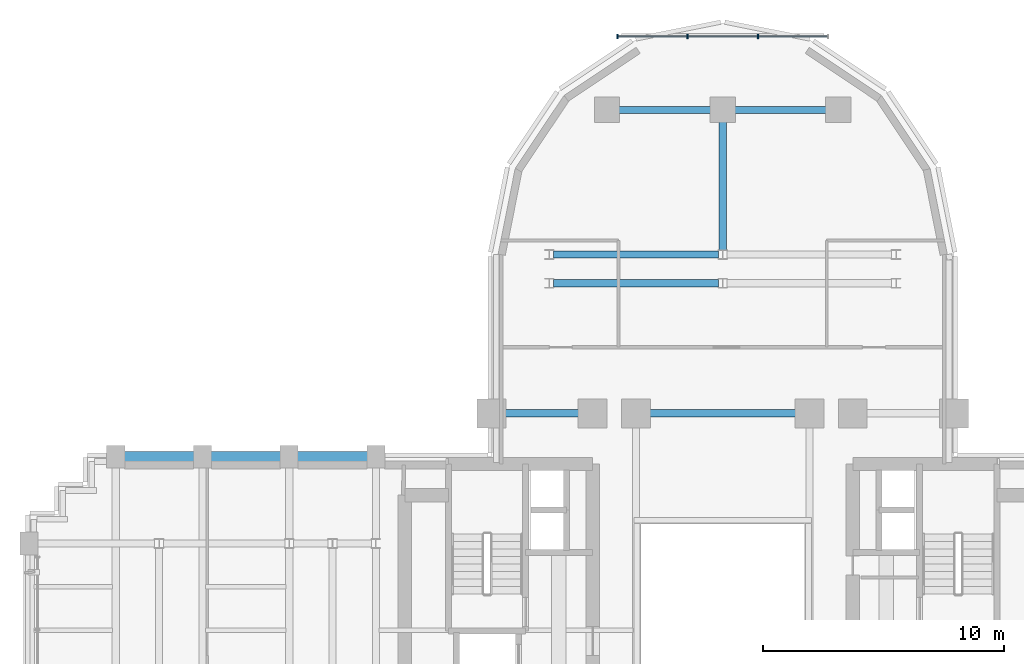
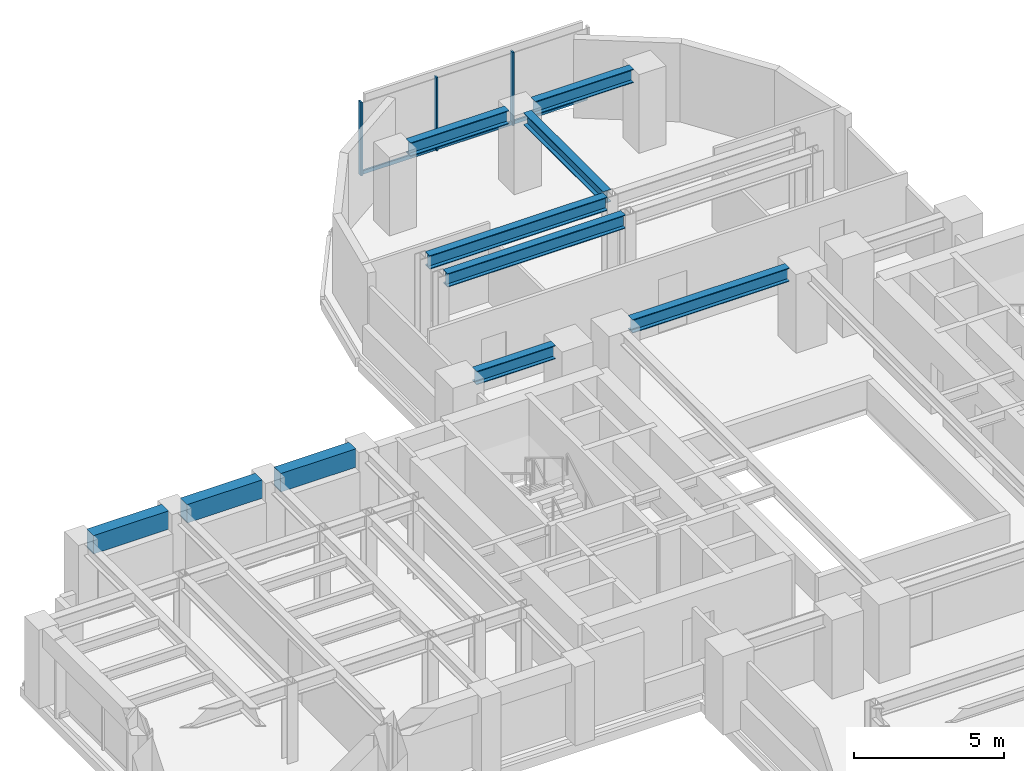
# One storey, part 7 of 16: 10 beams, 6 members, 1 element without a shape of its own.
"""IFC4 building model written with IfcOpenShell, lengths in metres."""

from ifc_helpers import new_model, si_unit, direction, frame, origin, origin_2d, place, context, subcontext, project, spatial, rectangle, i_section, extrude, source, transform, mapped, material, material_profile, profile_set, type_object, element, aggregate, save


model = new_model("IFC4")

# Units and contexts
model_context = context("Model", 3, precision=1e-05, world=origin(), true_north=direction((0.0, 1.0)))
body_context = subcontext(model_context, "Body", "Model", "MODEL_VIEW")
ifc_project = project(units=[si_unit("LENGTHUNIT", "METRE"), si_unit("AREAUNIT", "SQUARE_METRE"), si_unit("VOLUMEUNIT", "CUBIC_METRE"), si_unit("PLANEANGLEUNIT", "RADIAN"), si_unit("MASSUNIT", "GRAM", prefix="KILO")], contexts=[model_context])

# Site, building, storey
site_placement = place(None, origin())
site = spatial("IfcSite", under=ifc_project, at=site_placement, CompositionType="ELEMENT")
building_placement = place(site_placement, origin())
building = spatial("IfcBuilding", under=site, at=building_placement, Name="Keilestroom Media Tower", CompositionType="ELEMENT")
storey_placement = place(building_placement, frame((0.0, 0.0, 64.60009765625)))
storey = spatial("IfcBuildingStorey", under=building, at=storey_placement, Name="L16", CompositionType="ELEMENT", Elevation=64.60009765625)

# Beams
ifc_material_1 = material(Name="Steel S355", Category="steel")
ifc_material_profile_1 = material_profile(ifc_material_1, i_section(OverallWidth=0.300048828125, OverallDepth=0.550048828125, WebThickness=0.012939453125, FlangeThickness=0.029052734375, at=origin_2d()), Name="HEB 550")
ifc_profile_set_1 = profile_set([ifc_material_profile_1], Name="Steel S355")
beam_type_1 = type_object("IfcBeamType", Name="Primary-Structural-Girder-HEB-550", PredefinedType="BEAM", material=ifc_profile_set_1)
shared_shape_1 = source(origin(), body_context, "Body", "SweptSolid", [
    extrude(i_section(OverallWidth=0.300048828125, OverallDepth=0.550048828125, WebThickness=0.012939453125, FlangeThickness=0.029052734375, at=origin_2d()), origin(), (0.0, 0.0, 1.0), 3.7900390625),
])
for number, where, z_axis, x_axis, name in (
    (1, (-4.294921875, 21.60009765625, 2.9248046875), (1.0, 0.0, 0.0), (0.0, 1.0, 0.0), "L16 Beam BG-5 BM-L16-EW-049"),
    (2, (0.5048828125, 21.60009765625, 2.9248046875), (1.0, 0.0, 0.0), (0.0, 1.0, 0.0), "L16 Beam BG-5 BM-L16-EW-050"),
):
    element("IfcBeam", number, at=place(storey_placement, frame(where, z_axis=z_axis, x_axis=x_axis)), inside=storey, type_object=beam_type_1, Name=name, PredefinedType="BEAM", context=body_context, shape_type="MappedRepresentation", body=[
        mapped(shared_shape_1, transform((0.0, 0.0, 0.0), x_axis=(1.0, 0.0, 0.0), y_axis=(0.0, 1.0, 0.0), z_axis=(0.0, 0.0, 1.0), scale=1.0)),
    ])
shared_shape_2 = source(origin(), body_context, "Body", "SweptSolid", [
    extrude(i_section(OverallWidth=0.300048828125, OverallDepth=0.550048828125, WebThickness=0.012939453125, FlangeThickness=0.029052734375, at=origin_2d()), origin(), (0.0, 0.0, 1.0), 6.836181640625),
])
for number, where, z_axis, x_axis, name in (
    (3, (-7.01806640625, 14.39990234375, 2.9248046875), (1.0, 0.0, 0.0), (0.0, 1.0, 0.0), "L16 Beam BG-5 BM-L16-EW-045"),
    (4, (-7.01806640625, 15.60009765625, 2.9248046875), (1.0, 0.0, 0.0), (0.0, 1.0, 0.0), "L16 Beam BG-5 BM-L16-EW-047"),
):
    element("IfcBeam", number, at=place(storey_placement, frame(where, z_axis=z_axis, x_axis=x_axis)), inside=storey, type_object=beam_type_1, Name=name, PredefinedType="BEAM", context=body_context, shape_type="MappedRepresentation", body=[
        mapped(shared_shape_2, transform((0.0, 0.0, 0.0), x_axis=(1.0, 0.0, 0.0), y_axis=(0.0, 1.0, 0.0), z_axis=(0.0, 0.0, 1.0), scale=1.0)),
    ])
shared_shape_3 = source(origin(), body_context, "Body", "SweptSolid", [
    extrude(i_section(OverallWidth=0.300048828125, OverallDepth=0.550048828125, WebThickness=0.012939453125, FlangeThickness=0.029052734375, at=origin_2d()), origin(), (0.0, 0.0, 1.0), 3.0400390625),
])
beam_1_placement = place(storey_placement, frame((-9.02001953125, 9.0, 2.9248046875), z_axis=(1.0, 0.0, 0.0), x_axis=(0.0, 1.0, 0.0)))
element("IfcBeam", 5, at=beam_1_placement, inside=storey, type_object=beam_type_1, Name="L16 Beam BG-5 BM-L16-EW-040", PredefinedType="BEAM", context=body_context, shape_type="MappedRepresentation", body=[
    mapped(shared_shape_3, transform((0.0, 0.0, 0.0), x_axis=(1.0, 0.0, 0.0), y_axis=(0.0, 1.0, 0.0), z_axis=(0.0, 0.0, 1.0), scale=1.0)),
])
shared_shape_4 = source(origin(), body_context, "Body", "SweptSolid", [
    extrude(i_section(OverallWidth=0.300048828125, OverallDepth=0.550048828125, WebThickness=0.012939453125, FlangeThickness=0.029052734375, at=origin_2d()), origin(), (0.0, 0.0, 1.0), 6.0400390625),
])
beam_2_placement = place(storey_placement, frame((-3.02001953125, 9.0, 2.9248046875), z_axis=(1.0, 0.0, 0.0), x_axis=(0.0, 1.0, 0.0)))
element("IfcBeam", 6, at=beam_2_placement, inside=storey, type_object=beam_type_1, Name="L16 Beam BG-5 BM-L16-EW-042", PredefinedType="BEAM", context=body_context, shape_type="MappedRepresentation", body=[
    mapped(shared_shape_4, transform((0.0, 0.0, 0.0), x_axis=(1.0, 0.0, 0.0), y_axis=(0.0, 1.0, 0.0), z_axis=(0.0, 0.0, 1.0), scale=1.0)),
])
ifc_material_2 = material(Name="Precast concrete C40/50", Category="concrete")
ifc_material_profile_2 = material_profile(ifc_material_2, rectangle(XDim=0.449951171875, YDim=0.75, at=origin_2d()), Name="PC 450x750")
ifc_profile_set_2 = profile_set([ifc_material_profile_2], Name="Precast concrete C40/50")
beam_type_2 = type_object("IfcBeamType", Name="Perimeter-Spandrel-Beam-PC-450x750", PredefinedType="SPANDREL", material=ifc_profile_set_2)
shared_shape_5 = source(origin(), body_context, "Body", "SweptSolid", [
    extrude(rectangle(XDim=0.449951171875, YDim=0.75, at=origin_2d()), origin(), (0.0, 0.0, 1.0), 2.889892578125),
])
beam_3_placement = place(storey_placement, frame((-24.844970703125, 7.199951171875, 2.824951171875), z_axis=(1.0, 0.0, 0.0), x_axis=(0.0, 1.0, 0.0)))
element("IfcBeam", 7, at=beam_3_placement, inside=storey, type_object=beam_type_2, Name="L16 Beam SPB-1 BM-L16-EW-034", PredefinedType="SPANDREL", context=body_context, shape_type="MappedRepresentation", body=[
    mapped(shared_shape_5, transform((0.0, 0.0, 0.0), x_axis=(1.0, 0.0, 0.0), y_axis=(0.0, 1.0, 0.0), z_axis=(0.0, 0.0, 1.0), scale=1.0)),
])
shared_shape_6 = source(origin(), body_context, "Body", "SweptSolid", [
    extrude(rectangle(XDim=0.449951171875, YDim=0.75, at=origin_2d()), origin(), (0.0, 0.0, 1.0), 2.89013671875),
])
for number, where, z_axis, x_axis, name in (
    (8, (-21.2451171875, 7.199951171875, 2.824951171875), (1.0, 0.0, 0.0), (0.0, 1.0, 0.0), "L16 Beam SPB-1 BM-L16-EW-035"),
    (9, (-17.64501953125, 7.199951171875, 2.824951171875), (1.0, 0.0, 0.0), (0.0, 1.0, 0.0), "L16 Beam SPB-1 BM-L16-EW-036"),
):
    element("IfcBeam", number, at=place(storey_placement, frame(where, z_axis=z_axis, x_axis=x_axis)), inside=storey, type_object=beam_type_2, Name=name, PredefinedType="SPANDREL", context=body_context, shape_type="MappedRepresentation", body=[
        mapped(shared_shape_6, transform((0.0, 0.0, 0.0), x_axis=(1.0, 0.0, 0.0), y_axis=(0.0, 1.0, 0.0), z_axis=(0.0, 0.0, 1.0), scale=1.0)),
    ])
ifc_material_profile_3 = material_profile(ifc_material_1, i_section(OverallWidth=0.300048828125, OverallDepth=0.5, WebThickness=0.012451171875, FlangeThickness=0.028076171875, at=origin_2d()), Name="HEB 500")
ifc_profile_set_3 = profile_set([ifc_material_profile_3], Name="Steel S355")
beam_type_3 = type_object("IfcBeamType", Name="Primary-Structural-Girder-HEB-500", PredefinedType="BEAM", material=ifc_profile_set_3)
shared_shape_7 = source(origin(), body_context, "Body", "SweptSolid", [
    extrude(i_section(OverallWidth=0.300048828125, OverallDepth=0.5, WebThickness=0.012451171875, FlangeThickness=0.028076171875, at=origin_2d()), origin(), (0.0, 0.0, 1.0), 5.3115234375),
])
beam_4_placement = place(storey_placement, frame((0.0, 15.783447265625, 2.949951171875), z_axis=(0.0, 1.0, 0.0), x_axis=(-1.0, 0.0, 0.0)))
element("IfcBeam", 10, at=beam_4_placement, inside=storey, type_object=beam_type_3, Name="L16 Beam BG-6 BM-L16-NS-070", PredefinedType="BEAM", context=body_context, shape_type="MappedRepresentation", body=[
    mapped(shared_shape_7, transform((0.0, 0.0, 0.0), x_axis=(1.0, 0.0, 0.0), y_axis=(0.0, 1.0, 0.0), z_axis=(0.0, 0.0, 1.0), scale=1.0)),
])

# Curtain wall, members
ifc_material_3 = material(Name="Anodised Aluminium Alloy", Category="aluminium")
curtain_wall_type = type_object("IfcCurtainWallType", Name="Unitised-Curtain-Wall-CW-6", PredefinedType="NOTDEFINED", material=ifc_material_3)
curtain_wall_placement = place(storey_placement, origin())
curtain_wall = element("IfcCurtainWall", 11, at=curtain_wall_placement, inside=storey, type_object=curtain_wall_type, Name="L16 Curtain Wall CW-6 CW-L16-LN-1", PredefinedType="NOTDEFINED")
ifc_material_profile_4 = material_profile(ifc_material_3, rectangle(XDim=0.06494140625, YDim=0.179931640625, at=origin_2d()), Name="ALU MULLION 65x180")
ifc_profile_set_4 = profile_set([ifc_material_profile_4], Name="Anodised Aluminium Alloy")
member_type_1 = type_object("IfcMemberType", Name="Curtain-Wall-Mullion-CW-6", PredefinedType="MULLION", material=ifc_profile_set_4)
shared_shape_8 = source(origin(), body_context, "Body", "SweptSolid", [
    extrude(rectangle(XDim=0.06494140625, YDim=0.179931640625, at=origin_2d()), origin(), (0.0, 0.0, 1.0), 2.97998046875),
])
member_1_placement = place(storey_placement, frame((-4.367431640625, 24.64990234375, 0.0), z_axis=(0.0, 0.0, 1.0), x_axis=(1.0, 0.0, 0.0)))
member_1 = element("IfcMember", 12, at=member_1_placement, type_object=member_type_1, Name="CW-6 Mullion 00", PredefinedType="MULLION", context=body_context, shape_type="MappedRepresentation", body=[
    mapped(shared_shape_8, transform((0.0, 0.0, 0.0), x_axis=(1.0, 0.0, 0.0), y_axis=(0.0, 1.0, 0.0), z_axis=(0.0, 0.0, 1.0), scale=1.0)),
])
member_2_placement = place(storey_placement, frame((-1.466796875, 24.64990234375, 0.0), z_axis=(0.0, 0.0, 1.0), x_axis=(1.0, 0.0, 0.0)))
member_2 = element("IfcMember", 13, at=member_2_placement, type_object=member_type_1, Name="CW-6 Mullion 01", PredefinedType="MULLION", context=body_context, shape_type="MappedRepresentation", body=[
    mapped(shared_shape_8, transform((0.0, 0.0, 0.0), x_axis=(1.0, 0.0, 0.0), y_axis=(0.0, 1.0, 0.0), z_axis=(0.0, 0.0, 1.0), scale=1.0)),
])
member_3_placement = place(storey_placement, frame((1.466796875, 24.64990234375, 0.0), z_axis=(0.0, 0.0, 1.0), x_axis=(1.0, 0.0, 0.0)))
member_3 = element("IfcMember", 14, at=member_3_placement, type_object=member_type_1, Name="CW-6 Mullion 02", PredefinedType="MULLION", context=body_context, shape_type="MappedRepresentation", body=[
    mapped(shared_shape_8, transform((0.0, 0.0, 0.0), x_axis=(1.0, 0.0, 0.0), y_axis=(0.0, 1.0, 0.0), z_axis=(0.0, 0.0, 1.0), scale=1.0)),
])
ifc_material_profile_5 = material_profile(ifc_material_3, rectangle(XDim=0.06494140625, YDim=0.14990234375, at=origin_2d()), Name="ALU TRANSOM 65x150")
ifc_profile_set_5 = profile_set([ifc_material_profile_5], Name="Anodised Aluminium Alloy")
member_type_2 = type_object("IfcMemberType", Name="Curtain-Wall-Transom-CW-6", PredefinedType="USERDEFINED", material=ifc_profile_set_5)
shared_shape_9 = source(origin(), body_context, "Body", "SweptSolid", [
    extrude(rectangle(XDim=0.06494140625, YDim=0.14990234375, at=origin_2d()), origin(), (0.0, 0.0, 1.0), 2.839599609375),
])
member_4_placement = place(storey_placement, frame((-4.3369140625, 24.64990234375, 0.074951171875), z_axis=(1.0, 0.0, 0.0), x_axis=(0.0, 1.0, 0.0)))
member_4 = element("IfcMember", 15, at=member_4_placement, type_object=member_type_2, Name="CW-6 Transom 00.1", ObjectType="TRANSOM", PredefinedType="USERDEFINED", context=body_context, shape_type="MappedRepresentation", body=[
    mapped(shared_shape_9, transform((0.0, 0.0, 0.0), x_axis=(1.0, 0.0, 0.0), y_axis=(0.0, 1.0, 0.0), z_axis=(0.0, 0.0, 1.0), scale=1.0)),
])
member_5_placement = place(storey_placement, frame((1.497314453125, 24.64990234375, 0.074951171875), z_axis=(1.0, 0.0, 0.0), x_axis=(0.0, 1.0, 0.0)))
member_5 = element("IfcMember", 16, at=member_5_placement, type_object=member_type_2, Name="CW-6 Transom 02.1", ObjectType="TRANSOM", PredefinedType="USERDEFINED", context=body_context, shape_type="MappedRepresentation", body=[
    mapped(shared_shape_9, transform((0.0, 0.0, 0.0), x_axis=(1.0, 0.0, 0.0), y_axis=(0.0, 1.0, 0.0), z_axis=(0.0, 0.0, 1.0), scale=1.0)),
])
shared_shape_10 = source(origin(), body_context, "Body", "SweptSolid", [
    extrude(rectangle(XDim=0.06494140625, YDim=0.14990234375, at=origin_2d()), origin(), (0.0, 0.0, 1.0), 2.87255859375),
])
member_6_placement = place(storey_placement, frame((-1.436279296875, 24.64990234375, 0.074951171875), z_axis=(1.0, 0.0, 0.0), x_axis=(0.0, 1.0, 0.0)))
member_6 = element("IfcMember", 17, at=member_6_placement, type_object=member_type_2, Name="CW-6 Transom 01.1", ObjectType="TRANSOM", PredefinedType="USERDEFINED", context=body_context, shape_type="MappedRepresentation", body=[
    mapped(shared_shape_10, transform((0.0, 0.0, 0.0), x_axis=(1.0, 0.0, 0.0), y_axis=(0.0, 1.0, 0.0), z_axis=(0.0, 0.0, 1.0), scale=1.0)),
])
aggregate(curtain_wall, [member_1, member_2, member_3, member_4, member_6, member_5])

save(model, "model.ifc")
